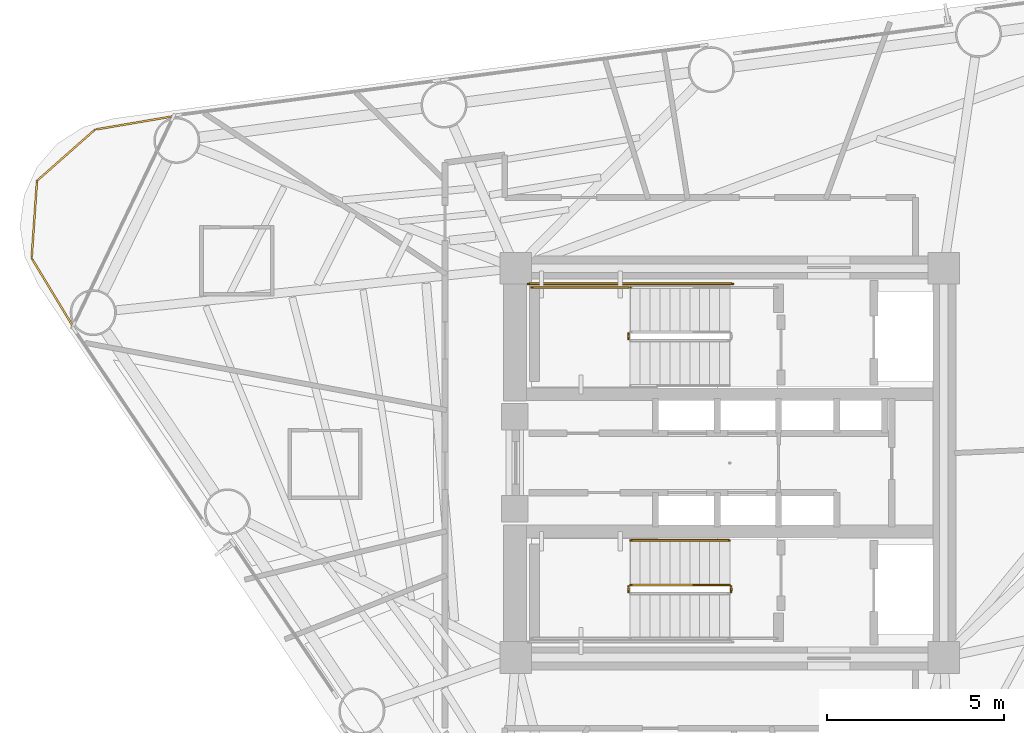
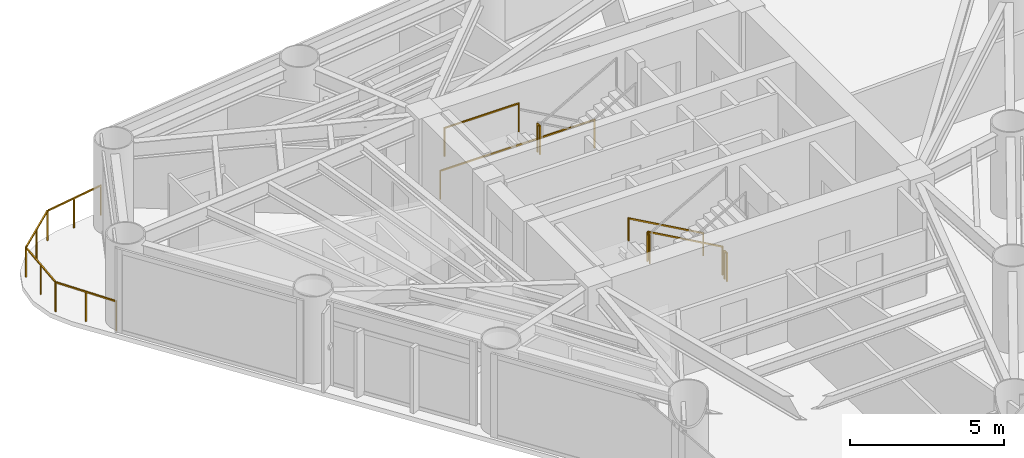
# One storey, part 8 of 10: 8 railings.
"""IFC4 building model written with IfcOpenShell, lengths in metres."""

from ifc_helpers import new_model, si_unit, direction, frame, origin, origin_2d, place, context, subcontext, project, spatial, rectangle, extrude, material, type_object, element, save


model = new_model("IFC4")

# Units and contexts
model_context = context("Model", 3, precision=1e-05, world=origin(), true_north=direction((0.0, 1.0)))
body_context = subcontext(model_context, "Body", "Model", "MODEL_VIEW")
ifc_project = project(units=[si_unit("LENGTHUNIT", "METRE"), si_unit("AREAUNIT", "SQUARE_METRE"), si_unit("VOLUMEUNIT", "CUBIC_METRE"), si_unit("PLANEANGLEUNIT", "RADIAN"), si_unit("MASSUNIT", "GRAM", prefix="KILO")], contexts=[model_context])

# Site, building, storey
site_placement = place(None, origin())
site = spatial("IfcSite", under=ifc_project, at=site_placement, CompositionType="ELEMENT")
building_placement = place(site_placement, origin())
building = spatial("IfcBuilding", under=site, at=building_placement, Name="Yunling Apex Tower", CompositionType="ELEMENT")
storey_placement = place(building_placement, frame((0.0, 0.0, 158.75)))
storey = spatial("IfcBuildingStorey", under=building, at=storey_placement, Name="L38", CompositionType="ELEMENT", Elevation=158.75)

# Railings
ifc_material_1 = material(Name="Bronze anodised aluminium", Category="aluminium")
railing_type_1 = type_object("IfcRailingType", Name="RL-BAL-1200", PredefinedType="BALUSTRADE", material=ifc_material_1)
railing_1_placement = place(storey_placement, frame((-18.567138671875, 3.859375, 0.0)))
element("IfcRailing", 1, at=railing_1_placement, inside=storey, type_object=railing_type_1, Name="RL-CRNSILL-L38-2", PredefinedType="BALUSTRADE", context=body_context, shape_type="SweptSolid", body=[
    extrude(rectangle(XDim=0.0439453125, YDim=0.0439453125, at=origin_2d()), origin(), (0.0, 0.0, 1.0), 1.199951171875),
    extrude(rectangle(XDim=0.0439453125, YDim=0.0439453125, at=origin_2d()), frame((-1.1669921875, 1.927001953125, 0.0)), (0.0, 0.0, 1.0), 1.199951171875),
    extrude(rectangle(XDim=0.050048828125, YDim=0.050048828125, at=origin_2d()), frame((-0.019775390625, 0.03271484375, 1.1748046875), z_axis=(-0.518013473605, 0.855372457566, 0.0), x_axis=(-0.855372457566, -0.518013473605, 0.0)), (0.0, 0.0, 1.0), 2.17626953125),
    extrude(rectangle(XDim=0.0439453125, YDim=0.0439453125, at=origin_2d()), frame((-0.58349609375, 0.96337890625, 0.0)), (0.0, 0.0, 1.0), 1.14599609375),
    extrude(rectangle(XDim=0.0439453125, YDim=0.0439453125, at=origin_2d()), frame((-1.015380859375, 4.114501953125, 0.0)), (0.0, 0.0, 1.0), 1.199951171875),
    extrude(rectangle(XDim=0.050048828125, YDim=0.050048828125, at=origin_2d()), frame((-1.164306640625, 1.96533203125, 1.1748046875), z_axis=(0.069142168872, 0.997606816578, 0.0), x_axis=(-0.997606816578, 0.069142168872, 0.0)), (0.0, 0.0, 1.0), 2.115966796875),
    extrude(rectangle(XDim=0.0439453125, YDim=0.0439453125, at=origin_2d()), frame((-1.09130859375, 3.020751953125, 0.0)), (0.0, 0.0, 1.0), 1.14599609375),
    extrude(rectangle(XDim=0.0439453125, YDim=0.0439453125, at=origin_2d()), frame((0.623046875, 5.560791015625, 0.0)), (0.0, 0.0, 1.0), 1.199951171875),
    extrude(rectangle(XDim=0.050048828125, YDim=0.050048828125, at=origin_2d()), frame((-0.986572265625, 4.139892578125, 1.1748046875), z_axis=(0.749697655483, 0.661780496361, 0.0), x_axis=(-0.661780496361, 0.749697655483, 0.0)), (0.0, 0.0, 1.0), 2.10888671875),
    extrude(rectangle(XDim=0.0439453125, YDim=0.0439453125, at=origin_2d()), frame((-0.1962890625, 4.837646484375, 0.0)), (0.0, 0.0, 1.0), 1.14599609375),
    extrude(rectangle(XDim=0.0439453125, YDim=0.0439453125, at=origin_2d()), frame((2.8447265625, 5.93896484375, 0.0)), (0.0, 0.0, 1.0), 1.199951171875),
    extrude(rectangle(XDim=0.050048828125, YDim=0.050048828125, at=origin_2d()), frame((0.660888671875, 5.567138671875, 1.1748046875), z_axis=(0.985820025914, 0.167806068147, 0.0), x_axis=(-0.167806068147, 0.985820025914, 0.0)), (0.0, 0.0, 1.0), 2.177001953125),
    extrude(rectangle(XDim=0.0439453125, YDim=0.0439453125, at=origin_2d()), frame((1.73388671875, 5.75, 0.0)), (0.0, 0.0, 1.0), 1.14599609375),
])
ifc_material_2 = material(Name="Steel Q355B", Category="steel")
railing_type_2 = type_object("IfcRailingType", Name="RL-GRD-1150", PredefinedType="GUARDRAIL", material=ifc_material_2)
railing_2_placement = place(storey_placement, frame((-2.860107421875, 3.64990234375, 1.72509765625)))
element("IfcRailing", 2, at=railing_2_placement, inside=storey, type_object=railing_type_2, Name="L38 ST-1 stair guard 2", PredefinedType="GUARDRAIL", context=body_context, shape_type="SweptSolid", body=[
    extrude(rectangle(XDim=0.0439453125, YDim=0.0439453125, at=origin_2d()), origin(), (0.0, 0.0, 1.0), 1.14990234375),
    extrude(rectangle(XDim=0.0439453125, YDim=0.0439453125, at=origin_2d()), frame((0.0, -0.14990234375, 0.0)), (0.0, 0.0, 1.0), 1.14990234375),
    extrude(rectangle(XDim=0.050048828125, YDim=0.050048828125, at=origin_2d()), frame((0.0, -0.038330078125, 1.125), z_axis=(0.0, -1.0, 0.0), x_axis=(1.0, 0.0, 0.0)), (0.0, 0.0, 1.0), 0.0732421875),
])
railing_3_placement = place(storey_placement, frame((-2.81005859375, 4.9599609375, 1.72509765625)))
element("IfcRailing", 3, at=railing_3_placement, inside=storey, type_object=railing_type_2, Name="L38 ST-1 stair guard 3", PredefinedType="GUARDRAIL", context=body_context, shape_type="SweptSolid", body=[
    extrude(rectangle(XDim=0.0439453125, YDim=0.0439453125, at=origin_2d()), origin(), (0.0, 0.0, 1.0), 1.14990234375),
    extrude(rectangle(XDim=0.0439453125, YDim=0.0439453125, at=origin_2d()), frame((-2.7900390625, 0.0, 0.0)), (0.0, 0.0, 1.0), 1.14990234375),
    extrude(rectangle(XDim=0.050048828125, YDim=0.050048828125, at=origin_2d()), frame((-0.038330078125, 0.0, 1.125), z_axis=(-1.0, 0.0, 0.0), x_axis=(0.0, -1.0, 0.0)), (0.0, 0.0, 1.0), 2.71337890625),
])
railing_4_placement = place(storey_placement, frame((0.090087890625, 5.06005859375, 0.0)))
element("IfcRailing", 4, at=railing_4_placement, inside=storey, type_object=railing_type_2, Name="L38 ST-1 stair guard 7", PredefinedType="GUARDRAIL", context=body_context, shape_type="SweptSolid", body=[
    extrude(rectangle(XDim=0.0439453125, YDim=0.0439453125, at=origin_2d()), origin(), (0.0, 0.0, 1.0), 1.14990234375),
    extrude(rectangle(XDim=0.0439453125, YDim=0.0439453125, at=origin_2d()), frame((-5.7900390625, 0.0, 0.0)), (0.0, 0.0, 1.0), 1.14990234375),
    extrude(rectangle(XDim=0.050048828125, YDim=0.050048828125, at=origin_2d()), frame((-0.038330078125, 0.0, 1.125), z_axis=(-1.0, 0.0, 0.0), x_axis=(0.0, -1.0, 0.0)), (0.0, 0.0, 1.0), 5.71337890625),
])
railing_5_placement = place(storey_placement, frame((-0.010009765625, -3.449951171875, 0.15673828125)))
element("IfcRailing", 5, at=railing_5_placement, inside=storey, type_object=railing_type_2, Name="L38 ST-2 stair guard 1", PredefinedType="GUARDRAIL", context=body_context, shape_type="SweptSolid", body=[
    extrude(rectangle(XDim=0.0439453125, YDim=0.0439453125, at=origin_2d()), origin(), (0.0, 0.0, 1.0), 1.14990234375),
    extrude(rectangle(XDim=0.0439453125, YDim=0.0439453125, at=origin_2d()), frame((-2.800048828125, 0.0, 1.568359375)), (0.0, 0.0, 1.0), 1.14990234375),
    extrude(rectangle(XDim=0.050048828125, YDim=0.050048828125, at=origin_2d()), frame((-0.033447265625, 0.0, 1.1435546875), z_axis=(-0.872461907711, 0.0, 0.488682125306), x_axis=(0.0, -1.0, 0.0)), (0.0, 0.0, 1.0), 3.1328125),
])
for number, where, name in (
    (6, (-2.860107421875, -3.5, 1.72509765625), "L38 ST-2 stair guard 2"),
    (7, (0.0400390625, -3.5, 0.0), "L38 ST-2 stair guard 5"),
):
    element("IfcRailing", number, at=place(storey_placement, frame(where)), inside=storey, type_object=railing_type_2, Name=name, PredefinedType="GUARDRAIL", context=body_context, shape_type="SweptSolid", body=[
        extrude(rectangle(XDim=0.0439453125, YDim=0.0439453125, at=origin_2d()), origin(), (0.0, 0.0, 1.0), 1.14990234375),
        extrude(rectangle(XDim=0.0439453125, YDim=0.0439453125, at=origin_2d()), frame((0.0, -0.14990234375, 0.0)), (0.0, 0.0, 1.0), 1.14990234375),
        extrude(rectangle(XDim=0.050048828125, YDim=0.050048828125, at=origin_2d()), frame((0.0, -0.038330078125, 1.125), z_axis=(0.0, -1.0, 0.0), x_axis=(1.0, 0.0, 0.0)), (0.0, 0.0, 1.0), 0.0732421875),
    ])
ifc_material_3 = material(Name="Silver anodised aluminium", Category="aluminium")
railing_type_3 = type_object("IfcRailingType", Name="RL-HND-900", PredefinedType="HANDRAIL", material=ifc_material_3)
railing_6_placement = place(storey_placement, frame((-0.010009765625, -2.18994140625, 0.15673828125)))
element("IfcRailing", 8, at=railing_6_placement, inside=storey, type_object=railing_type_3, Name="L38 ST-2 stair handrail 1", PredefinedType="HANDRAIL", context=body_context, shape_type="SweptSolid", body=[
    extrude(rectangle(XDim=0.0439453125, YDim=0.0439453125, at=origin_2d()), origin(), (0.0, 0.0, 1.0), 0.919921875),
    extrude(rectangle(XDim=0.0439453125, YDim=0.0439453125, at=origin_2d()), frame((-2.800048828125, 0.0, 1.568359375)), (0.0, 0.0, 1.0), 0.919921875),
    extrude(rectangle(XDim=0.050048828125, YDim=0.050048828125, at=origin_2d()), frame((-0.033447265625, 0.0, 0.91357421875), z_axis=(-0.872461907711, 0.0, 0.488682125306), x_axis=(0.0, -1.0, 0.0)), (0.0, 0.0, 1.0), 3.1328125),
])

save(model, "model.ifc")
